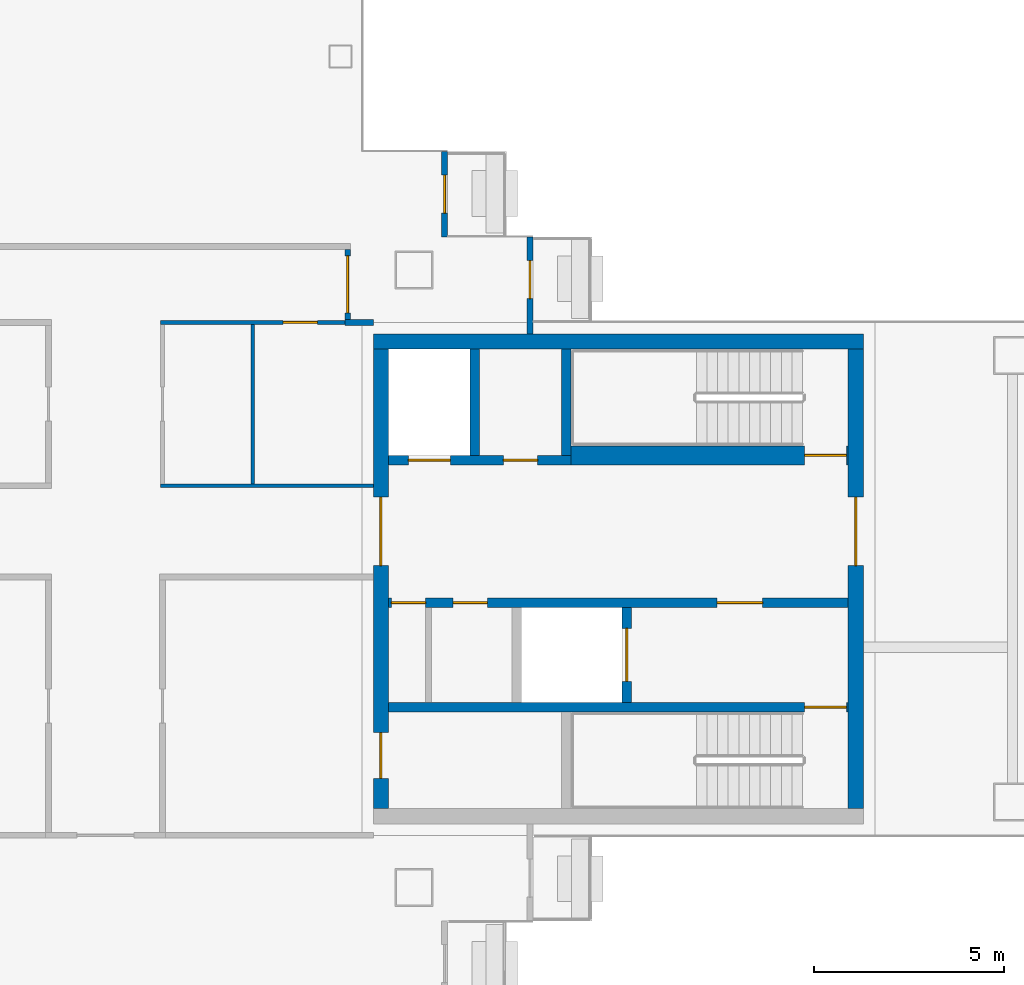
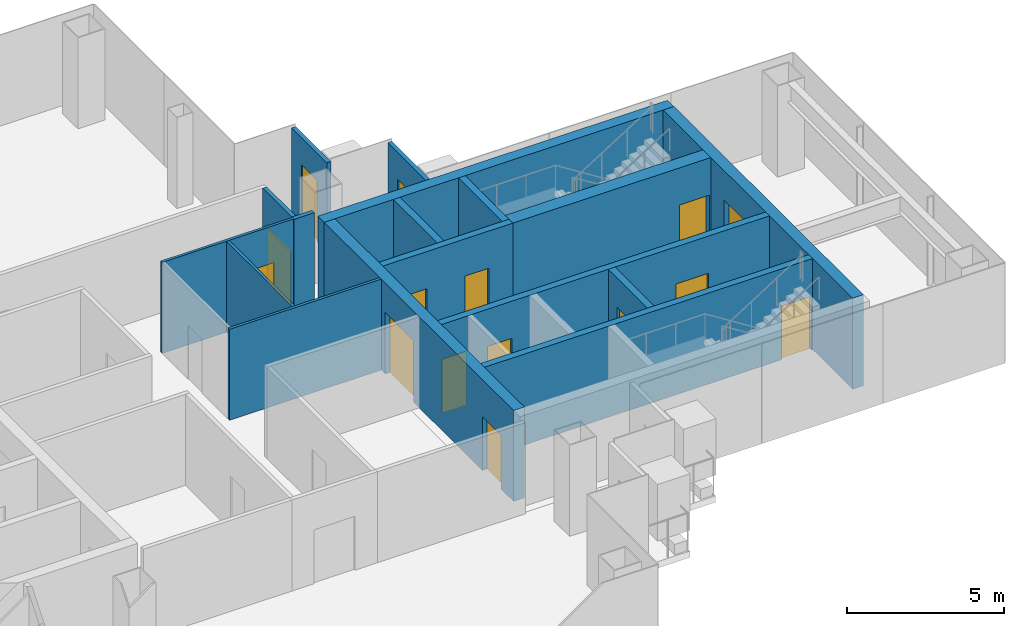
# One storey, part 12 of 16: 17 walls, 15 doors, 15 openings.
"""IFC4 building model written with IfcOpenShell, lengths in metres."""

from ifc_helpers import new_model, si_unit, direction, frame, frame_2d, origin, place, context, subcontext, project, spatial, rectangle, extrude, material, layer, layer_set, type_object, element, fill, save


model = new_model("IFC4")

# Units and contexts
model_context = context("Model", 3, precision=1e-05, world=origin(), true_north=direction((0.0, 1.0)))
body_context = subcontext(model_context, "Body", "Model", "MODEL_VIEW")
ifc_project = project(units=[si_unit("LENGTHUNIT", "METRE"), si_unit("AREAUNIT", "SQUARE_METRE"), si_unit("VOLUMEUNIT", "CUBIC_METRE"), si_unit("PLANEANGLEUNIT", "RADIAN"), si_unit("MASSUNIT", "GRAM", prefix="KILO")], contexts=[model_context])

# Site, building, storey
site_placement = place(None, origin())
site = spatial("IfcSite", under=ifc_project, at=site_placement, CompositionType="ELEMENT")
building_placement = place(site_placement, origin())
building = spatial("IfcBuilding", under=site, at=building_placement, Name="Shamsa Quay Exchange Towers", CompositionType="ELEMENT")
storey_placement = place(building_placement, frame((0.0, 0.0, 213.89990234375)))
storey = spatial("IfcBuildingStorey", under=building, at=storey_placement, Name="L51", CompositionType="ELEMENT", Elevation=213.89990234375)

# Wall, opening, door
ifc_material_1 = material(Name="Aluminium EN AW-6063 T6, black anodised, with black enamelled glass infill", Category="aluminium")
ifc_layer_1 = layer(ifc_material_1, 0.14990234375)
ifc_layer_set_1 = layer_set([ifc_layer_1], Name="BALCONY DOOR BAY WALL 150")
wall_type_1 = type_object("IfcWallType", Name="BALCONY DOOR BAY WALL 150", PredefinedType="SOLIDWALL", material=ifc_layer_set_1)
wall_1_placement = place(storey_placement, frame((42.675048828125, 11.25, 0.0), z_axis=(0.0, 0.0, 1.0), x_axis=(0.0, -1.0, 0.0)))
wall_1 = element("IfcWall", 1, at=wall_1_placement, inside=storey, type_object=wall_type_1, Name="Door bay T2-PKES L51", PredefinedType="SOLIDWALL", context=body_context, shape_type="SweptSolid", body=[
    extrude(rectangle(XDim=2.25, YDim=0.14990234375, at=frame_2d((1.125, 0.0))), origin(), (0.0, 0.0, 1.0), 3.4501953125),
])
opening_1_placement = place(wall_1_placement, frame((0.625, 0.0, 0.0)))
opening_1 = element("IfcOpeningElement", 2, at=opening_1_placement, cuts=wall_1, Name="Opening XD339", PredefinedType="OPENING", context=body_context, shape_type="SweptSolid", body=[
    extrude(rectangle(XDim=1.0, YDim=2.39990234375, at=frame_2d((0.5, 1.199951171875))), frame((0.0, 0.0849609375, 0.0), z_axis=(0.0, -1.0, 0.0), x_axis=(1.0, 0.0, 0.0)), (0.0, 0.0, 1.0), 0.169921875),
])
ifc_material_2 = material(Name="Aluminium EN AW-6063 T6, black anodised, with laminated glass leaf", Category="aluminium")
door_type_1 = type_object("IfcDoorType", Name="BALCONY DOOR 1000x2400", OperationType="SINGLE_SWING_LEFT", PredefinedType="DOOR", material=ifc_material_2)
door_1_placement = place(opening_1_placement, origin())
door_1 = element("IfcDoor", 3, at=door_1_placement, inside=storey, type_object=door_type_1, Name="Balcony door T2-PKES L51", OperationType="SINGLE_SWING_RIGHT", OverallHeight=2.39990234375, OverallWidth=1.0, PredefinedType="DOOR", context=body_context, shape_type="SweptSolid", body=[
    extrude(rectangle(XDim=1.0, YDim=2.39990234375, at=frame_2d((0.5, 1.199951171875))), frame((0.0, 0.02490234375, 0.0), z_axis=(0.0, -1.0, 0.0), x_axis=(1.0, 0.0, 0.0)), (0.0, 0.0, 1.0), 0.050048828125),
])
fill(opening_1, door_1)

wall_2_placement = place(storey_placement, frame((44.925048828125, 9.0, 0.0), z_axis=(0.0, 0.0, 1.0), x_axis=(0.0, -1.0, 0.0)))
wall_2 = element("IfcWall", 4, at=wall_2_placement, inside=storey, type_object=wall_type_1, Name="Door bay T2-PKES L51", PredefinedType="SOLIDWALL", context=body_context, shape_type="SweptSolid", body=[
    extrude(rectangle(XDim=2.556884765625, YDim=0.14990234375, at=frame_2d((1.2783203125, 0.0))), origin(), (0.0, 0.0, 1.0), 3.4501953125),
])
opening_2_placement = place(wall_2_placement, frame((0.625, 0.0, 0.0)))
opening_2 = element("IfcOpeningElement", 5, at=opening_2_placement, cuts=wall_2, Name="Opening XD340", PredefinedType="OPENING", context=body_context, shape_type="SweptSolid", body=[
    extrude(rectangle(XDim=1.0, YDim=2.39990234375, at=frame_2d((0.5, 1.199951171875))), frame((0.0, 0.0849609375, 0.0), z_axis=(0.0, -1.0, 0.0), x_axis=(1.0, 0.0, 0.0)), (0.0, 0.0, 1.0), 0.169921875),
])
door_2_placement = place(opening_2_placement, origin())
door_2 = element("IfcDoor", 6, at=door_2_placement, inside=storey, type_object=door_type_1, Name="Balcony door T2-PKES L51", OperationType="SINGLE_SWING_LEFT", OverallHeight=2.39990234375, OverallWidth=1.0, PredefinedType="DOOR", context=body_context, shape_type="SweptSolid", body=[
    extrude(rectangle(XDim=1.0, YDim=2.39990234375, at=frame_2d((0.5, 1.199951171875))), frame((0.0, 0.02490234375, 0.0), z_axis=(0.0, -1.0, 0.0), x_axis=(1.0, 0.0, 0.0)), (0.0, 0.0, 1.0), 0.050048828125),
])
fill(opening_2, door_2)

# Wall
ifc_material_3 = material(Name="Concrete C60/75", Category="concrete")
ifc_layer_2 = layer(ifc_material_3, 0.39990234375)
ifc_layer_set_2 = layer_set([ifc_layer_2], Name="CORE WALL 400 C60/75")
wall_type_2 = type_object("IfcWallType", Name="CORE WALL 400 C60/75", PredefinedType="SHEAR", material=ifc_layer_set_2)
wall_3_placement = place(storey_placement, frame((53.699951171875, 6.25, 0.0), z_axis=(0.0, 0.0, 1.0), x_axis=(-1.0, 0.0, 0.0)))
element("IfcWall", 7, at=wall_3_placement, inside=storey, type_object=wall_type_2, Name="Core wall T2B-R23-PN", PredefinedType="SHEAR", context=body_context, shape_type="SweptSolid", body=[
    extrude(rectangle(XDim=12.89990234375, YDim=0.39990234375, at=frame_2d((6.449951171875, 0.0))), origin(), (0.0, 0.0, 1.0), 3.550048828125),
])

# Wall, opening, door
wall_4_placement = place(storey_placement, frame((53.5, -6.050048828125, 0.0), z_axis=(0.0, 0.0, 1.0), x_axis=(0.0, 1.0, 0.0)))
wall_4 = element("IfcWall", 8, at=wall_4_placement, inside=storey, type_object=wall_type_2, Name="Core wall T2B-R23-PF", PredefinedType="SHEAR", context=body_context, shape_type="SweptSolid", body=[
    extrude(rectangle(XDim=12.10009765625, YDim=0.39990234375, at=frame_2d((6.050048828125, 0.0))), origin(), (0.0, 0.0, 1.0), 3.550048828125),
])
opening_3_placement = place(wall_4_placement, frame((6.39990234375, 0.0, 0.0)))
opening_3 = element("IfcOpeningElement", 9, at=opening_3_placement, cuts=wall_4, Name="Opening T2B-R23-LBD01", PredefinedType="OPENING", context=body_context, shape_type="SweptSolid", body=[
    extrude(rectangle(XDim=1.800048828125, YDim=2.39990234375, at=frame_2d((0.89990234375, 1.199951171875))), frame((0.0, 0.2099609375, 0.0), z_axis=(0.0, -1.0, 0.0), x_axis=(1.0, 0.0, 0.0)), (0.0, 0.0, 1.0), 0.419921875),
])
ifc_material_4 = material(Name="Steel, fire rated", Category="steel")
door_type_2 = type_object("IfcDoorType", Name="LIFT LOBBY DOOR PAIR 1800", OperationType="DOUBLE_DOOR_SINGLE_SWING", PredefinedType="DOOR", material=ifc_material_4)
door_3_placement = place(opening_3_placement, origin())
door_3 = element("IfcDoor", 10, at=door_3_placement, inside=storey, type_object=door_type_2, Name="T2B-R23-LBD01", OperationType="DOUBLE_DOOR_SINGLE_SWING", OverallHeight=2.39990234375, OverallWidth=1.800048828125, PredefinedType="DOOR", context=body_context, shape_type="SweptSolid", body=[
    extrude(rectangle(XDim=1.800048828125, YDim=2.39990234375, at=frame_2d((0.89990234375, 1.199951171875))), frame((0.0, 0.02490234375, 0.0), z_axis=(0.0, -1.0, 0.0), x_axis=(1.0, 0.0, 0.0)), (0.0, 0.0, 1.0), 0.050048828125),
])
fill(opening_3, door_3)

# Wall, openings, doors
wall_5_placement = place(storey_placement, frame((41.0, -6.050048828125, 0.0), z_axis=(0.0, 0.0, 1.0), x_axis=(0.0, 1.0, 0.0)))
wall_5 = element("IfcWall", 11, at=wall_5_placement, inside=storey, type_object=wall_type_2, Name="Core wall T2B-R23-PB", PredefinedType="SHEAR", context=body_context, shape_type="SweptSolid", body=[
    extrude(rectangle(XDim=12.10009765625, YDim=0.39990234375, at=frame_2d((6.050048828125, 0.0))), origin(), (0.0, 0.0, 1.0), 3.550048828125),
])
opening_4_placement = place(wall_5_placement, frame((0.800048828125, 0.0, 0.0)))
opening_4 = element("IfcOpeningElement", 12, at=opening_4_placement, cuts=wall_5, Name="Opening T2B-R23-RD02", PredefinedType="OPENING", context=body_context, shape_type="SweptSolid", body=[
    extrude(rectangle(XDim=1.199951171875, YDim=2.10009765625, at=frame_2d((0.60009765625, 1.050048828125))), frame((0.0, 0.2099609375, 0.0), z_axis=(0.0, -1.0, 0.0), x_axis=(1.0, 0.0, 0.0)), (0.0, 0.0, 1.0), 0.419921875),
])
opening_5_placement = place(wall_5_placement, frame((6.39990234375, 0.0, 0.0)))
opening_5 = element("IfcOpeningElement", 13, at=opening_5_placement, cuts=wall_5, Name="Opening T2B-R23-LBD03", PredefinedType="OPENING", context=body_context, shape_type="SweptSolid", body=[
    extrude(rectangle(XDim=1.800048828125, YDim=2.39990234375, at=frame_2d((0.89990234375, 1.199951171875))), frame((0.0, 0.2099609375, 0.0), z_axis=(0.0, -1.0, 0.0), x_axis=(1.0, 0.0, 0.0)), (0.0, 0.0, 1.0), 0.419921875),
])
door_4_placement = place(opening_5_placement, origin())
door_4 = element("IfcDoor", 14, at=door_4_placement, inside=storey, type_object=door_type_2, Name="T2B-R23-LBD03", OperationType="DOUBLE_DOOR_SINGLE_SWING", OverallHeight=2.39990234375, OverallWidth=1.800048828125, PredefinedType="DOOR", context=body_context, shape_type="SweptSolid", body=[
    extrude(rectangle(XDim=1.800048828125, YDim=2.39990234375, at=frame_2d((0.89990234375, 1.199951171875))), frame((0.0, 0.02490234375, 0.0), z_axis=(0.0, -1.0, 0.0), x_axis=(1.0, 0.0, 0.0)), (0.0, 0.0, 1.0), 0.050048828125),
])
fill(opening_5, door_4)
door_type_3 = type_object("IfcDoorType", Name="RISER ACCESS DOOR 1200", OperationType="SINGLE_SWING_LEFT", PredefinedType="DOOR", material=ifc_material_4)
door_5_placement = place(opening_4_placement, origin())
door_5 = element("IfcDoor", 15, at=door_5_placement, inside=storey, type_object=door_type_3, Name="T2B-R23-RD02", OperationType="SINGLE_SWING_LEFT", OverallHeight=2.10009765625, OverallWidth=1.199951171875, PredefinedType="DOOR", context=body_context, shape_type="SweptSolid", body=[
    extrude(rectangle(XDim=1.199951171875, YDim=2.10009765625, at=frame_2d((0.60009765625, 1.050048828125))), frame((0.0, 0.02490234375, 0.0), z_axis=(0.0, -1.0, 0.0), x_axis=(1.0, 0.0, 0.0)), (0.0, 0.0, 1.0), 0.050048828125),
])
fill(opening_4, door_5)

# Wall
ifc_material_5 = material(Name="Gypsum board partition on metal studs")
ifc_layer_3 = layer(ifc_material_5, 0.10009765625)
ifc_layer_set_3 = layer_set([ifc_layer_3], Name="Partition 100 mm NOT RATED")
wall_type_3 = type_object("IfcWallType", Name="Partition 100 mm NOT RATED", PredefinedType="PARTITIONING", material=ifc_layer_set_3)
wall_6_placement = place(storey_placement, frame((35.199951171875, 2.4501953125, 0.0)))
element("IfcWall", 16, at=wall_6_placement, inside=storey, type_object=wall_type_3, Name="Partition T2-R23-W08", PredefinedType="PARTITIONING", context=body_context, shape_type="SweptSolid", body=[
    extrude(rectangle(XDim=5.60009765625, YDim=0.10009765625, at=frame_2d((2.800048828125, 0.0))), origin(), (0.0, 0.0, 1.0), 3.550048828125),
])

# Wall, opening, door
wall_7_placement = place(storey_placement, frame((40.199951171875, 6.75, 0.0), z_axis=(0.0, 0.0, 1.0), x_axis=(-1.0, 0.0, 0.0)))
wall_7 = element("IfcWall", 17, at=wall_7_placement, inside=storey, type_object=wall_type_3, Name="Partition T2-R23-W09", PredefinedType="PARTITIONING", context=body_context, shape_type="SweptSolid", body=[
    extrude(rectangle(XDim=5.0, YDim=0.10009765625, at=frame_2d((2.5, 0.0))), origin(), (0.0, 0.0, 1.0), 3.550048828125),
])
opening_6_placement = place(wall_7_placement, frame((0.875, 0.0, 0.0)))
opening_6 = element("IfcOpeningElement", 18, at=opening_6_placement, cuts=wall_7, Name="Opening T2-R23-D04", PredefinedType="OPENING", context=body_context, shape_type="SweptSolid", body=[
    extrude(rectangle(XDim=0.89990234375, YDim=2.10009765625, at=frame_2d((0.449951171875, 1.050048828125))), frame((0.0, 0.06005859375, 0.0), z_axis=(0.0, -1.0, 0.0), x_axis=(1.0, 0.0, 0.0)), (0.0, 0.0, 1.0), 0.1201171875),
])
ifc_material_6 = material(Name="Timber door leaf in a metal frame", Category="wood")
door_type_4 = type_object("IfcDoorType", Name="Door 900x2100 NOT RATED", OperationType="NOTDEFINED", PredefinedType="DOOR", material=ifc_material_6)
door_6_placement = place(opening_6_placement, origin())
door_6 = element("IfcDoor", 19, at=door_6_placement, inside=storey, type_object=door_type_4, Name="Door T2-R23-D04", OperationType="SINGLE_SWING_RIGHT", OverallHeight=2.10009765625, OverallWidth=0.89990234375, PredefinedType="DOOR", context=body_context, shape_type="SweptSolid", body=[
    extrude(rectangle(XDim=0.89990234375, YDim=2.10009765625, at=frame_2d((0.449951171875, 1.050048828125))), frame((0.0, 0.02490234375, 0.0), z_axis=(0.0, -1.0, 0.0), x_axis=(1.0, 0.0, 0.0)), (0.0, 0.0, 1.0), 0.050048828125),
])
fill(opening_6, door_6)

# Walls
wall_8_placement = place(storey_placement, frame((37.625, 6.699951171875, 0.0), z_axis=(0.0, 0.0, 1.0), x_axis=(0.0, -1.0, 0.0)))
element("IfcWall", 20, at=wall_8_placement, inside=storey, type_object=wall_type_3, Name="Partition T2-R23-W18", PredefinedType="PARTITIONING", context=body_context, shape_type="SweptSolid", body=[
    extrude(rectangle(XDim=4.19970703125, YDim=0.10009765625, at=frame_2d((2.099853515625, 0.0))), origin(), (0.0, 0.0, 1.0), 3.550048828125),
])
ifc_layer_4 = layer(ifc_material_5, 0.14990234375)
ifc_layer_set_4 = layer_set([ifc_layer_4], Name="Partition 150 mm EI 60")
wall_type_4 = type_object("IfcWallType", Name="Partition 150 mm EI 60", PredefinedType="PARTITIONING", material=ifc_layer_set_4)
wall_9_placement = place(storey_placement, frame((40.800048828125, 6.75, 0.0), z_axis=(0.0, 0.0, 1.0), x_axis=(-1.0, 0.0, 0.0)))
element("IfcWall", 21, at=wall_9_placement, inside=storey, type_object=wall_type_4, Name="Partition T2-R23-W02", PredefinedType="PARTITIONING", context=body_context, shape_type="SweptSolid", body=[
    extrude(rectangle(XDim=0.75, YDim=0.14990234375, at=frame_2d((0.375, 0.0))), origin(), (0.0, 0.0, 1.0), 3.550048828125),
])

# Wall, opening, door
wall_10_placement = place(storey_placement, frame((40.125, 6.824951171875, 0.0), z_axis=(0.0, 0.0, 1.0), x_axis=(0.0, 1.0, 0.0)))
wall_10 = element("IfcWall", 22, at=wall_10_placement, inside=storey, type_object=wall_type_4, Name="Partition T2-R23-W12", PredefinedType="PARTITIONING", context=body_context, shape_type="SweptSolid", body=[
    extrude(rectangle(XDim=1.85009765625, YDim=0.14990234375, at=frame_2d((0.925048828125, 0.0))), origin(), (0.0, 0.0, 1.0), 3.550048828125),
])
opening_7_placement = place(wall_10_placement, frame((0.175048828125, 0.0, 0.0)))
opening_7 = element("IfcOpeningElement", 23, at=opening_7_placement, cuts=wall_10, Name="Opening T2-R23-D01", PredefinedType="OPENING", context=body_context, shape_type="SweptSolid", body=[
    extrude(rectangle(XDim=1.5, YDim=2.10009765625, at=frame_2d((0.75, 1.050048828125))), frame((0.0, 0.0849609375, 0.0), z_axis=(0.0, -1.0, 0.0), x_axis=(1.0, 0.0, 0.0)), (0.0, 0.0, 1.0), 0.169921875),
])
door_type_5 = type_object("IfcDoorType", Name="Door 1500x2100 FD30S pair", OperationType="NOTDEFINED", PredefinedType="DOOR", material=ifc_material_6)
door_7_placement = place(opening_7_placement, origin())
door_7 = element("IfcDoor", 24, at=door_7_placement, inside=storey, type_object=door_type_5, Name="Door T2-R23-D01", OperationType="DOUBLE_DOOR_SINGLE_SWING", OverallHeight=2.10009765625, OverallWidth=1.5, PredefinedType="DOOR", context=body_context, shape_type="SweptSolid", body=[
    extrude(rectangle(XDim=1.5, YDim=2.10009765625, at=frame_2d((0.75, 1.050048828125))), frame((0.0, 0.02490234375, 0.0), z_axis=(0.0, -1.0, 0.0), x_axis=(1.0, 0.0, 0.0)), (0.0, 0.0, 1.0), 0.050048828125),
])
fill(opening_7, door_7)

ifc_material_7 = material(Name="Concrete C50/60", Category="concrete")
ifc_layer_5 = layer(ifc_material_7, 0.25)
ifc_layer_set_5 = layer_set([ifc_layer_5], Name="SHAFT WALL 250 C50/60")
wall_type_5 = type_object("IfcWallType", Name="SHAFT WALL 250 C50/60", PredefinedType="SHEAR", material=ifc_layer_set_5)
wall_11_placement = place(storey_placement, frame((53.300048828125, -3.375, 0.0), z_axis=(0.0, 0.0, 1.0), x_axis=(-1.0, 0.0, 0.0)))
wall_11 = element("IfcWall", 25, at=wall_11_placement, inside=storey, type_object=wall_type_5, Name="Shaft wall T2B-R23-STL", PredefinedType="SHEAR", context=body_context, shape_type="SweptSolid", body=[
    extrude(rectangle(XDim=12.10009765625, YDim=0.25, at=frame_2d((6.050048828125, 0.0))), origin(), (0.0, 0.0, 1.0), 3.550048828125),
])
opening_8_placement = place(wall_11_placement, frame((0.050048828125, 0.0, 0.0)))
opening_8 = element("IfcOpeningElement", 26, at=opening_8_placement, cuts=wall_11, Name="Opening T2B-R23-SD04", PredefinedType="OPENING", context=body_context, shape_type="SweptSolid", body=[
    extrude(rectangle(XDim=1.10009765625, YDim=2.10009765625, at=frame_2d((0.550048828125, 1.050048828125))), frame((0.0, 0.135009765625, 0.0), z_axis=(0.0, -1.0, 0.0), x_axis=(1.0, 0.0, 0.0)), (0.0, 0.0, 1.0), 0.27001953125),
])
door_type_6 = type_object("IfcDoorType", Name="STAIR DOOR 1100", OperationType="SINGLE_SWING_LEFT", PredefinedType="DOOR", material=ifc_material_4)
door_8_placement = place(opening_8_placement, origin())
door_8 = element("IfcDoor", 27, at=door_8_placement, inside=storey, type_object=door_type_6, Name="T2B-R23-SD04", OperationType="SINGLE_SWING_LEFT", OverallHeight=2.10009765625, OverallWidth=1.10009765625, PredefinedType="DOOR", context=body_context, shape_type="SweptSolid", body=[
    extrude(rectangle(XDim=1.10009765625, YDim=2.10009765625, at=frame_2d((0.550048828125, 1.050048828125))), frame((0.0, 0.02490234375, 0.0), z_axis=(0.0, -1.0, 0.0), x_axis=(1.0, 0.0, 0.0)), (0.0, 0.0, 1.0), 0.050048828125),
])
fill(opening_8, door_8)

# Wall, openings, doors
wall_12_placement = place(storey_placement, frame((53.300048828125, -0.625, 0.0), z_axis=(0.0, 0.0, 1.0), x_axis=(-1.0, 0.0, 0.0)))
wall_12 = element("IfcWall", 28, at=wall_12_placement, inside=storey, type_object=wall_type_5, Name="Shaft wall T2B-R23-B", PredefinedType="SHEAR", context=body_context, shape_type="SweptSolid", body=[
    extrude(rectangle(XDim=12.10009765625, YDim=0.25, at=frame_2d((6.050048828125, 0.0))), origin(), (0.0, 0.0, 1.0), 3.550048828125),
])
opening_9_placement = place(wall_12_placement, frame((2.25, 0.0, 0.0)))
opening_9 = element("IfcOpeningElement", 29, at=opening_9_placement, cuts=wall_12, Name="Opening T2B-R23-FD05", PredefinedType="OPENING", context=body_context, shape_type="SweptSolid", body=[
    extrude(rectangle(XDim=1.199951171875, YDim=2.10009765625, at=frame_2d((0.60009765625, 1.050048828125))), frame((0.0, 0.135009765625, 0.0), z_axis=(0.0, -1.0, 0.0), x_axis=(1.0, 0.0, 0.0)), (0.0, 0.0, 1.0), 0.27001953125),
])
opening_10_placement = place(wall_12_placement, frame((9.5, 0.0, 0.0)))
opening_10 = element("IfcOpeningElement", 30, at=opening_10_placement, cuts=wall_12, Name="Opening T2B-R23-SV06", PredefinedType="OPENING", context=body_context, shape_type="SweptSolid", body=[
    extrude(rectangle(XDim=0.89990234375, YDim=2.10009765625, at=frame_2d((0.449951171875, 1.050048828125))), frame((0.0, 0.135009765625, 0.0), z_axis=(0.0, -1.0, 0.0), x_axis=(1.0, 0.0, 0.0)), (0.0, 0.0, 1.0), 0.27001953125),
])
opening_11_placement = place(wall_12_placement, frame((11.125, 0.0, 0.0)))
opening_11 = element("IfcOpeningElement", 31, at=opening_11_placement, cuts=wall_12, Name="Opening T2B-R23-SV07", PredefinedType="OPENING", context=body_context, shape_type="SweptSolid", body=[
    extrude(rectangle(XDim=0.89990234375, YDim=2.10009765625, at=frame_2d((0.449951171875, 1.050048828125))), frame((0.0, 0.135009765625, 0.0), z_axis=(0.0, -1.0, 0.0), x_axis=(1.0, 0.0, 0.0)), (0.0, 0.0, 1.0), 0.27001953125),
])
door_type_7 = type_object("IfcDoorType", Name="FIRE SERVICE LOBBY DOOR 1200", OperationType="SINGLE_SWING_LEFT", PredefinedType="DOOR", material=ifc_material_4)
door_9_placement = place(opening_9_placement, origin())
door_9 = element("IfcDoor", 32, at=door_9_placement, inside=storey, type_object=door_type_7, Name="T2B-R23-FD05", OperationType="SINGLE_SWING_LEFT", OverallHeight=2.10009765625, OverallWidth=1.199951171875, PredefinedType="DOOR", context=body_context, shape_type="SweptSolid", body=[
    extrude(rectangle(XDim=1.199951171875, YDim=2.10009765625, at=frame_2d((0.60009765625, 1.050048828125))), frame((0.0, 0.02490234375, 0.0), z_axis=(0.0, -1.0, 0.0), x_axis=(1.0, 0.0, 0.0)), (0.0, 0.0, 1.0), 0.050048828125),
])
fill(opening_9, door_9)
door_type_8 = type_object("IfcDoorType", Name="SERVICE ROOM DOOR 900", OperationType="SINGLE_SWING_LEFT", PredefinedType="DOOR", material=ifc_material_4)
door_10_placement = place(opening_10_placement, origin())
door_10 = element("IfcDoor", 33, at=door_10_placement, inside=storey, type_object=door_type_8, Name="T2B-R23-SV06", OperationType="SINGLE_SWING_RIGHT", OverallHeight=2.10009765625, OverallWidth=0.89990234375, PredefinedType="DOOR", context=body_context, shape_type="SweptSolid", body=[
    extrude(rectangle(XDim=0.89990234375, YDim=2.10009765625, at=frame_2d((0.449951171875, 1.050048828125))), frame((0.0, 0.02490234375, 0.0), z_axis=(0.0, -1.0, 0.0), x_axis=(1.0, 0.0, 0.0)), (0.0, 0.0, 1.0), 0.050048828125),
])
fill(opening_10, door_10)
door_11_placement = place(opening_11_placement, origin())
door_11 = element("IfcDoor", 34, at=door_11_placement, inside=storey, type_object=door_type_8, Name="T2B-R23-SV07", OperationType="SINGLE_SWING_RIGHT", OverallHeight=2.10009765625, OverallWidth=0.89990234375, PredefinedType="DOOR", context=body_context, shape_type="SweptSolid", body=[
    extrude(rectangle(XDim=0.89990234375, YDim=2.10009765625, at=frame_2d((0.449951171875, 1.050048828125))), frame((0.0, 0.02490234375, 0.0), z_axis=(0.0, -1.0, 0.0), x_axis=(1.0, 0.0, 0.0)), (0.0, 0.0, 1.0), 0.050048828125),
])
fill(opening_11, door_11)

# Wall, opening, door
wall_13_placement = place(storey_placement, frame((47.47509765625, -3.25, 0.0), z_axis=(0.0, 0.0, 1.0), x_axis=(0.0, 1.0, 0.0)))
wall_13 = element("IfcWall", 35, at=wall_13_placement, inside=storey, type_object=wall_type_5, Name="Shaft wall T2B-R23-FFF", PredefinedType="SHEAR", context=body_context, shape_type="SweptSolid", body=[
    extrude(rectangle(XDim=2.5, YDim=0.25, at=frame_2d((1.25, 0.0))), origin(), (0.0, 0.0, 1.0), 3.550048828125),
])
opening_12_placement = place(wall_13_placement, frame((0.550048828125, 0.0, 0.0)))
opening_12 = element("IfcOpeningElement", 36, at=opening_12_placement, cuts=wall_13, Name="Opening T2B-R23-LDG08", PredefinedType="OPENING", context=body_context, shape_type="SweptSolid", body=[
    extrude(rectangle(XDim=1.39990234375, YDim=2.39990234375, at=frame_2d((0.699951171875, 1.199951171875))), frame((0.0, 0.135009765625, 0.0), z_axis=(0.0, -1.0, 0.0), x_axis=(1.0, 0.0, 0.0)), (0.0, 0.0, 1.0), 0.27001953125),
])
door_type_9 = type_object("IfcDoorType", Name="GOODS LIFT LANDING DOOR 1400", OperationType="SLIDING_TO_LEFT", PredefinedType="DOOR", material=ifc_material_4)
door_12_placement = place(opening_12_placement, origin())
door_12 = element("IfcDoor", 37, at=door_12_placement, inside=storey, type_object=door_type_9, Name="T2B-R23-LDG08", OperationType="SLIDING_TO_LEFT", OverallHeight=2.39990234375, OverallWidth=1.39990234375, PredefinedType="DOOR", context=body_context, shape_type="SweptSolid", body=[
    extrude(rectangle(XDim=1.39990234375, YDim=2.39990234375, at=frame_2d((0.699951171875, 1.199951171875))), frame((0.0, 0.02490234375, 0.0), z_axis=(0.0, -1.0, 0.0), x_axis=(1.0, 0.0, 0.0)), (0.0, 0.0, 1.0), 0.050048828125),
])
fill(opening_12, door_12)

# Wall, openings, doors
wall_14_placement = place(storey_placement, frame((41.199951171875, 3.125, 0.0)))
wall_14 = element("IfcWall", 38, at=wall_14_placement, inside=storey, type_object=wall_type_5, Name="Shaft wall T2B-R23-N2", PredefinedType="SHEAR", context=body_context, shape_type="SweptSolid", body=[
    extrude(rectangle(XDim=4.800048828125, YDim=0.25, at=frame_2d((2.39990234375, 0.0))), origin(), (0.0, 0.0, 1.0), 3.550048828125),
])
opening_13_placement = place(wall_14_placement, frame((0.52490234375, 0.0, 0.0)))
opening_13 = element("IfcOpeningElement", 39, at=opening_13_placement, cuts=wall_14, Name="Opening T2B-R23-LD10", PredefinedType="OPENING", context=body_context, shape_type="SweptSolid", body=[
    extrude(rectangle(XDim=1.10009765625, YDim=2.10009765625, at=frame_2d((0.550048828125, 1.050048828125))), frame((0.0, 0.135009765625, 0.0), z_axis=(0.0, -1.0, 0.0), x_axis=(1.0, 0.0, 0.0)), (0.0, 0.0, 1.0), 0.27001953125),
])
opening_14_placement = place(wall_14_placement, frame((3.02490234375, 0.0, 0.0)))
opening_14 = element("IfcOpeningElement", 40, at=opening_14_placement, cuts=wall_14, Name="Opening T2B-R23-SV11", PredefinedType="OPENING", context=body_context, shape_type="SweptSolid", body=[
    extrude(rectangle(XDim=0.89990234375, YDim=2.10009765625, at=frame_2d((0.449951171875, 1.050048828125))), frame((0.0, 0.135009765625, 0.0), z_axis=(0.0, -1.0, 0.0), x_axis=(1.0, 0.0, 0.0)), (0.0, 0.0, 1.0), 0.27001953125),
])
door_type_10 = type_object("IfcDoorType", Name="LANDING DOOR 1100", OperationType="SLIDING_TO_LEFT", PredefinedType="DOOR", material=ifc_material_4)
door_13_placement = place(opening_13_placement, origin())
door_13 = element("IfcDoor", 41, at=door_13_placement, inside=storey, type_object=door_type_10, Name="T2B-R23-LD10", OperationType="SLIDING_TO_LEFT", OverallHeight=2.10009765625, OverallWidth=1.10009765625, PredefinedType="DOOR", context=body_context, shape_type="SweptSolid", body=[
    extrude(rectangle(XDim=1.10009765625, YDim=2.10009765625, at=frame_2d((0.550048828125, 1.050048828125))), frame((0.0, 0.02490234375, 0.0), z_axis=(0.0, -1.0, 0.0), x_axis=(1.0, 0.0, 0.0)), (0.0, 0.0, 1.0), 0.050048828125),
])
fill(opening_13, door_13)
door_14_placement = place(opening_14_placement, origin())
door_14 = element("IfcDoor", 42, at=door_14_placement, inside=storey, type_object=door_type_8, Name="T2B-R23-SV11", OperationType="SINGLE_SWING_RIGHT", OverallHeight=2.10009765625, OverallWidth=0.89990234375, PredefinedType="DOOR", context=body_context, shape_type="SweptSolid", body=[
    extrude(rectangle(XDim=0.89990234375, YDim=2.10009765625, at=frame_2d((0.449951171875, 1.050048828125))), frame((0.0, 0.02490234375, 0.0), z_axis=(0.0, -1.0, 0.0), x_axis=(1.0, 0.0, 0.0)), (0.0, 0.0, 1.0), 0.050048828125),
])
fill(opening_14, door_14)

# Walls
for number, where, z_axis, x_axis, name in (
    (43, (45.875, 3.25, 0.0), (0.0, 0.0, 1.0), (0.0, 1.0, 0.0), "Shaft wall T2B-R23-STF2"),
    (44, (43.47509765625, 3.25, 0.0), (0.0, 0.0, 1.0), (0.0, 1.0, 0.0), "Shaft wall T2B-R23-D0"),
):
    element("IfcWall", number, at=place(storey_placement, frame(where, z_axis=z_axis, x_axis=x_axis)), inside=storey, type_object=wall_type_5, Name=name, PredefinedType="SHEAR", context=body_context, shape_type="SweptSolid", body=[
        extrude(rectangle(XDim=2.800048828125, YDim=0.25, at=frame_2d((1.39990234375, 0.0))), origin(), (0.0, 0.0, 1.0), 3.550048828125),
    ])

# Wall, opening, door
ifc_layer_6 = layer(ifc_material_7, 0.5)
ifc_layer_set_6 = layer_set([ifc_layer_6], Name="SHAFT WALL 500 C50/60")
wall_type_6 = type_object("IfcWallType", Name="SHAFT WALL 500 C50/60", PredefinedType="SHEAR", material=ifc_layer_set_6)
wall_15_placement = place(storey_placement, frame((46.0, 3.25, 0.0)))
wall_15 = element("IfcWall", 45, at=wall_15_placement, inside=storey, type_object=wall_type_6, Name="Shaft wall T2B-R23-N", PredefinedType="SHEAR", context=body_context, shape_type="SweptSolid", body=[
    extrude(rectangle(XDim=7.300048828125, YDim=0.5, at=frame_2d((3.64990234375, 0.0))), origin(), (0.0, 0.0, 1.0), 3.550048828125),
])
opening_15_placement = place(wall_15_placement, frame((6.14990234375, 0.0, 0.0)))
opening_15 = element("IfcOpeningElement", 46, at=opening_15_placement, cuts=wall_15, Name="Opening T2B-R23-SD09", PredefinedType="OPENING", context=body_context, shape_type="SweptSolid", body=[
    extrude(rectangle(XDim=1.10009765625, YDim=2.10009765625, at=frame_2d((0.550048828125, 1.050048828125))), frame((0.0, 0.260009765625, 0.0), z_axis=(0.0, -1.0, 0.0), x_axis=(1.0, 0.0, 0.0)), (0.0, 0.0, 1.0), 0.52001953125),
])
door_15_placement = place(opening_15_placement, origin())
door_15 = element("IfcDoor", 47, at=door_15_placement, inside=storey, type_object=door_type_6, Name="T2B-R23-SD09", OperationType="SINGLE_SWING_RIGHT", OverallHeight=2.10009765625, OverallWidth=1.10009765625, PredefinedType="DOOR", context=body_context, shape_type="SweptSolid", body=[
    extrude(rectangle(XDim=1.10009765625, YDim=2.10009765625, at=frame_2d((0.550048828125, 1.050048828125))), frame((0.0, 0.02490234375, 0.0), z_axis=(0.0, -1.0, 0.0), x_axis=(1.0, 0.0, 0.0)), (0.0, 0.0, 1.0), 0.050048828125),
])
fill(opening_15, door_15)

save(model, "model.ifc")
